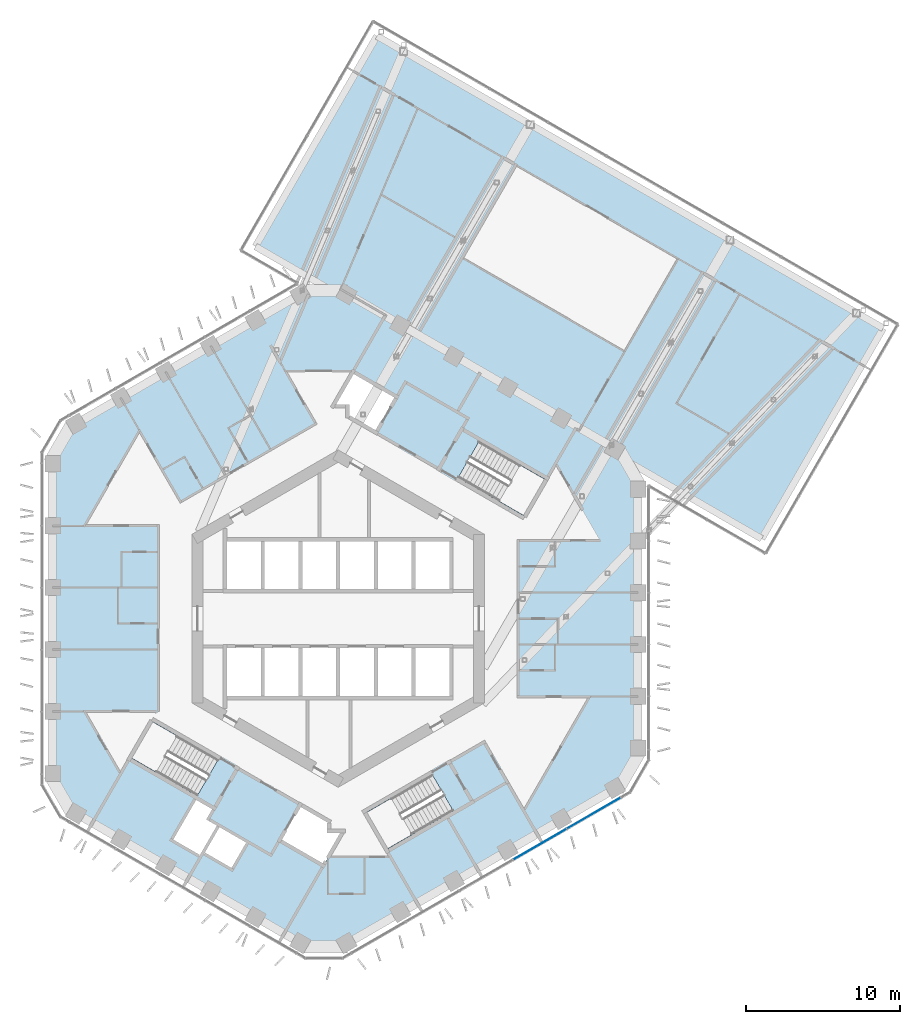
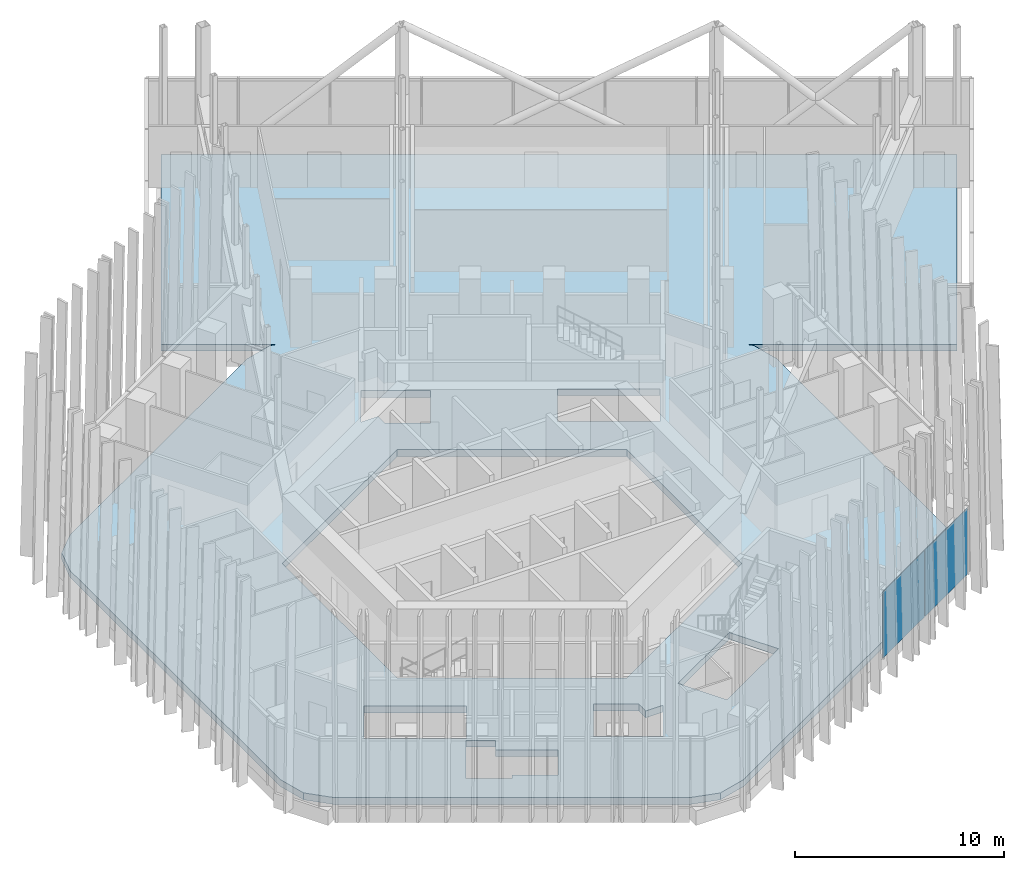
# One storey, part 14 of 31: 2 plates, 1 slab, 1 element without a shape of its own.
"""IFC4 building model written with IfcOpenShell, lengths in metres."""

from ifc_helpers import new_model, si_unit, direction, frame, origin, origin_2d, place, context, subcontext, project, spatial, polyline, rectangle, outline, extrude, material, layer, layer_set, type_object, element, aggregate, save


model = new_model("IFC4")

# Units and contexts
model_context = context("Model", 3, precision=1e-05, world=origin(), true_north=direction((0.0, 1.0)))
body_context = subcontext(model_context, "Body", "Model", "MODEL_VIEW")
ifc_project = project(units=[si_unit("LENGTHUNIT", "METRE"), si_unit("AREAUNIT", "SQUARE_METRE"), si_unit("VOLUMEUNIT", "CUBIC_METRE"), si_unit("PLANEANGLEUNIT", "RADIAN"), si_unit("MASSUNIT", "GRAM", prefix="KILO")], contexts=[model_context])

# Site, building, storey
site_placement = place(None, origin())
site = spatial("IfcSite", under=ifc_project, at=site_placement, CompositionType="ELEMENT")
building_placement = place(site_placement, origin())
building = spatial("IfcBuilding", under=site, at=building_placement, Name="Ayvan Gate Tower", CompositionType="ELEMENT")
storey_placement = place(building_placement, frame((0.0, 0.0, 135.89990234375)))
storey = spatial("IfcBuildingStorey", under=building, at=storey_placement, Name="L36", CompositionType="ELEMENT", Elevation=135.89990234375)

# Slab
ifc_material_1 = material(Name="Concrete C40/50", Category="concrete")
ifc_layer_1 = layer(ifc_material_1, 0.39990234375)
ifc_layer_set_1 = layer_set([ifc_layer_1], Name="Concrete C40/50")
slab_type = type_object("IfcSlabType", Name="Post-tensioned flat slab 400", PredefinedType="FLOOR", material=ifc_layer_set_1)
slab_placement = place(storey_placement, frame((0.0, 0.0, -0.39990234375)))
element("IfcSlab", 1, at=slab_placement, inside=storey, type_object=slab_type, Name="SL-L36", PredefinedType="FLOOR", context=body_context, shape_type="SweptSolid", body=[
    extrude(outline(polyline([(-2.421630859375, -21.101806640625), (-17.06396484375, -12.648193359375), (-18.162109375, -11.550048828125), (-18.56396484375, -10.050048828125), (-18.56396484375, 10.050048828125), (-18.162109375, 11.550048828125), (-17.06396484375, 12.648193359375), (-2.421630859375, 21.101806640625), (-0.921630859375, 21.50390625), (-0.541259765625, 21.40185546875), (-5.3740234375, 24.192138671875), (2.526123046875, 37.875244140625), (35.43505859375, 18.875244140625), (27.534912109375, 5.192138671875), (18.80517578125, 10.232177734375), (19.083740234375, 9.953857421875), (19.485595703125, 8.453857421875), (19.485595703125, -8.453857421875), (19.083740234375, -9.953857421875), (17.985595703125, -11.0517578125), (0.578369140625, -21.101806640625), (-0.921630859375, -21.50390625), (-2.421630859375, -21.101806640625)]), holes=[polyline([(13.404541015625, 9.0673828125), (9.1611328125, 11.517578125), (7.80615234375, 9.170654296875), (12.049560546875, 6.720458984375), (13.404541015625, 9.0673828125)]), polyline([(0.0, 10.9697265625), (-9.5, 5.48486328125), (-9.5, -5.48486328125), (0.0, -10.9697265625), (9.5, -5.48486328125), (9.5, 5.48486328125), (0.0, 10.9697265625)]), polyline([(3.228759765625, -14.9423828125), (7.472412109375, -12.492431640625), (6.117431640625, -10.1455078125), (1.873779296875, -12.595458984375), (3.228759765625, -14.9423828125)]), polyline([(2.472412109375, 12.08251953125), (3.822509765625, 14.420654296875), (0.964599609375, 16.07080078125), (-0.340576171875, 13.81005859375), (0.60009765625, 13.81005859375), (0.60009765625, 13.16357421875), (2.472412109375, 12.08251953125)]), polyline([(0.340576171875, -13.81005859375), (-0.60009765625, -13.81005859375), (-0.60009765625, -13.16357421875), (-2.472412109375, -12.08251953125), (-3.822509765625, -14.420654296875), (-0.964599609375, -16.07080078125), (-0.63720703125, -15.50390625), (0.340576171875, -13.81005859375)]), polyline([(-8.800048828125, -15.241943359375), (-6.894775390625, -16.342041015625), (-5.8447265625, -14.5234375), (-7.77587890625, -13.408447265625), (-8.44287109375, -13.0234375), (-8.042724609375, -12.33056640625), (-9.25537109375, -11.630615234375), (-10.855224609375, -14.40185546875), (-8.949951171875, -15.501953125), (-8.800048828125, -15.241943359375)]), polyline([(-7.80615234375, -9.170654296875), (-12.049560546875, -6.720458984375), (-13.404541015625, -9.0673828125), (-9.1611328125, -11.517578125), (-7.80615234375, -9.170654296875)])]), origin(), (0.0, 0.0, 1.0), 0.39990234375),
])

# Curtain wall, plates
ifc_material_2 = material(Name="Bronze anodised aluminium", Category="aluminium")
ifc_layer_2 = layer(ifc_material_2, 0.199951171875)
ifc_layer_set_2 = layer_set([ifc_layer_2], Name="Bronze anodised aluminium")
curtain_wall_type = type_object("IfcCurtainWallType", Name="Stick curtain wall CW-1", PredefinedType="NOTDEFINED", material=ifc_layer_set_2)
curtain_wall_placement = place(storey_placement, origin())
curtain_wall = element("IfcCurtainWall", 2, at=curtain_wall_placement, inside=storey, type_object=curtain_wall_type, Name="Stick curtain wall CW-1 L36", PredefinedType="NOTDEFINED")
ifc_material_3 = material(Name="Clear low-iron laminated glass", Category="glass")
ifc_layer_3 = layer(ifc_material_3, 0.028076171875)
ifc_layer_set_3 = layer_set([ifc_layer_3], Name="Clear low-iron laminated glass")
plate_type = type_object("IfcPlateType", Name="Stick curtain wall CW-1 glass panel", PredefinedType="CURTAIN_PANEL", material=ifc_layer_set_3)
plate_1_placement = place(storey_placement, frame((13.1201171875, -14.669189453125, 0.000244140625), z_axis=(0.0, 0.0, 1.0), x_axis=(0.866025403784, 0.5, 0.0)))
plate_1 = element("IfcPlate", 3, at=plate_1_placement, type_object=plate_type, Name="CW-1 glass panel 4", PredefinedType="CURTAIN_PANEL", context=body_context, shape_type="SweptSolid", body=[
    extrude(rectangle(XDim=3.968017578125, YDim=0.028076171875, at=origin_2d()), origin(), (0.0, 0.0, 1.0), 3.8798828125),
])
plate_2_placement = place(storey_placement, frame((16.639892578125, -12.636962890625, 0.000244140625), z_axis=(0.0, 0.0, 1.0), x_axis=(0.866025403784, 0.5, 0.0)))
plate_2 = element("IfcPlate", 4, at=plate_2_placement, type_object=plate_type, Name="CW-1 glass panel 5", PredefinedType="CURTAIN_PANEL", context=body_context, shape_type="SweptSolid", body=[
    extrude(rectangle(XDim=4.04052734375, YDim=0.028076171875, at=origin_2d()), origin(), (0.0, 0.0, 1.0), 3.8798828125),
])
aggregate(curtain_wall, [plate_1, plate_2])

save(model, "model.ifc")
